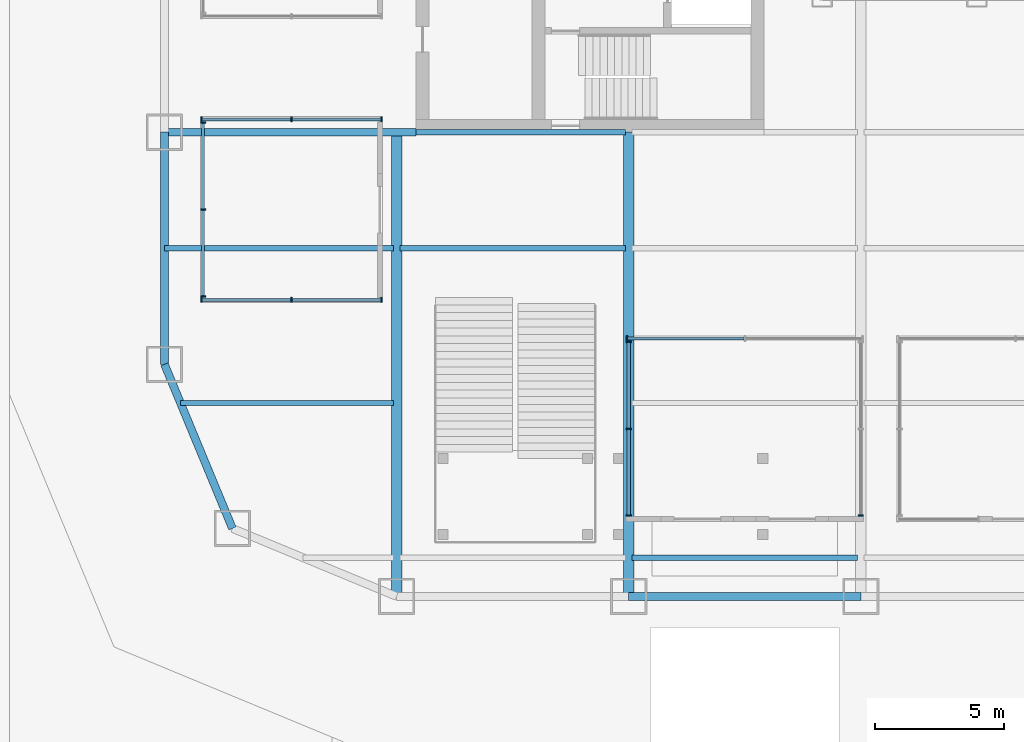
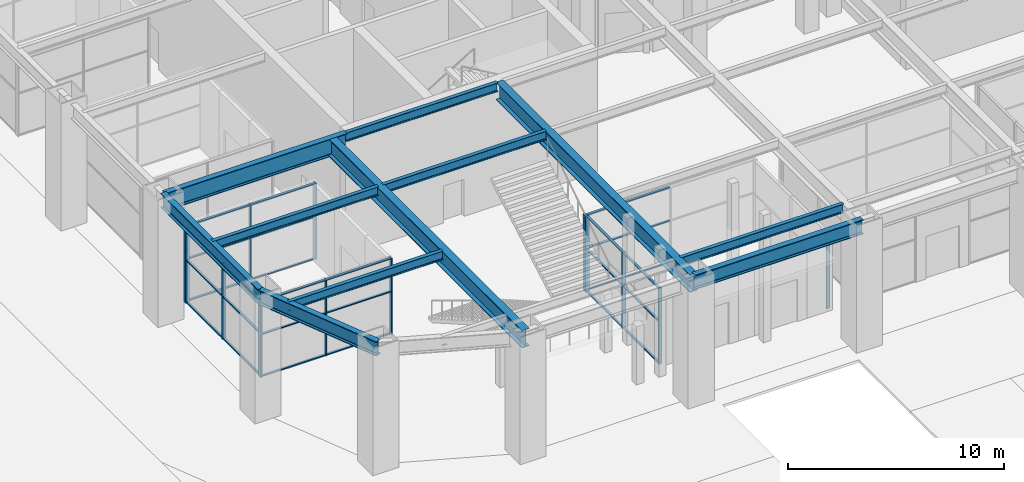
# One storey, part 2 of 20: 41 members, 11 beams, 6 elements without a shape of their own.
"""IFC4 building model written with IfcOpenShell, lengths in metres."""

from ifc_helpers import new_model, si_unit, direction, frame, origin, origin_2d, place, context, subcontext, project, spatial, rectangle, i_section, extrude, material, layer, layer_set, material_profile, profile_set, type_object, element, aggregate, save


model = new_model("IFC4")

# Units and contexts
model_context = context("Model", 3, precision=1e-05, world=origin(), true_north=direction((0.0, 1.0)))
body_context = subcontext(model_context, "Body", "Model", "MODEL_VIEW")
ifc_project = project(units=[si_unit("LENGTHUNIT", "METRE"), si_unit("AREAUNIT", "SQUARE_METRE"), si_unit("VOLUMEUNIT", "CUBIC_METRE"), si_unit("PLANEANGLEUNIT", "RADIAN"), si_unit("MASSUNIT", "GRAM", prefix="KILO")], contexts=[model_context])

# Site, building, storey
site_placement = place(None, origin())
site = spatial("IfcSite", under=ifc_project, at=site_placement, CompositionType="ELEMENT")
building_placement = place(site_placement, origin())
building = spatial("IfcBuilding", under=site, at=building_placement, Name="Siwar Civic Tower", CompositionType="ELEMENT")
storey_placement = place(building_placement, origin())
storey = spatial("IfcBuildingStorey", under=building, at=storey_placement, Name="L00", CompositionType="ELEMENT", Elevation=0.0)

# Curtain wall, member
ifc_material_1 = material(Name="Aluminium and glass", Category="aluminium")
ifc_layer = layer(ifc_material_1, 0.199951171875)
ifc_layer_set = layer_set([ifc_layer], Name="Aluminium and glass")
curtain_wall_type = type_object("IfcCurtainWallType", Name="GND-CWG", PredefinedType="NOTDEFINED", material=ifc_layer_set)
curtain_wall_1_placement = place(storey_placement, origin())
curtain_wall_1 = element("IfcCurtainWall", 1, at=curtain_wall_1_placement, inside=storey, type_object=curtain_wall_type, Name="Glazed screen P01", PredefinedType="NOTDEFINED")
ifc_material_2 = material(Name="Aluminium", Category="aluminium")
ifc_material_profile_1 = material_profile(ifc_material_2, rectangle(XDim=0.199951171875, YDim=0.06005859375, at=origin_2d()), Name="AL 200x60")
ifc_profile_set_1 = profile_set([ifc_material_profile_1], Name="Aluminium")
member_type_1 = type_object("IfcMemberType", Name="GND-CWG-MULLION", PredefinedType="MULLION", material=ifc_profile_set_1)
member_1_placement = place(storey_placement, frame((-4.5, -28.3701171875, 0.0), z_axis=(0.0, 0.0, 1.0), x_axis=(-1.0, 0.0, 0.0)))
member_1 = element("IfcMember", 2, at=member_1_placement, type_object=member_type_1, Name="CW-G mullion 1", PredefinedType="MULLION", context=body_context, shape_type="SweptSolid", body=[
    extrude(rectangle(XDim=0.199951171875, YDim=0.06005859375, at=origin_2d()), origin(), (0.0, 0.0, 1.0), 4.300048828125),
])
aggregate(curtain_wall_1, [member_1])

curtain_wall_2_placement = place(storey_placement, origin())
curtain_wall_2 = element("IfcCurtainWall", 3, at=curtain_wall_2_placement, inside=storey, type_object=curtain_wall_type, Name="Glazed screen P01", PredefinedType="NOTDEFINED")
member_2_placement = place(storey_placement, frame((-13.570068359375, -21.5, 0.0), z_axis=(0.0, 0.0, 1.0), x_axis=(0.0, 1.0, 0.0)))
member_2 = element("IfcMember", 4, at=member_2_placement, type_object=member_type_1, Name="CW-G mullion 1", PredefinedType="MULLION", context=body_context, shape_type="SweptSolid", body=[
    extrude(rectangle(XDim=0.199951171875, YDim=0.06005859375, at=origin_2d()), origin(), (0.0, 0.0, 1.0), 4.300048828125),
])

# Curtain wall, members
curtain_wall_3_placement = place(storey_placement, origin())
curtain_wall_3 = element("IfcCurtainWall", 5, at=curtain_wall_3_placement, inside=storey, type_object=curtain_wall_type, Name="Glazed screen P01", PredefinedType="NOTDEFINED")
member_3_placement = place(storey_placement, frame((-13.5, -28.3701171875, 0.0), z_axis=(0.0, 0.0, 1.0), x_axis=(-1.0, 0.0, 0.0)))
member_3 = element("IfcMember", 6, at=member_3_placement, type_object=member_type_1, Name="CW-G mullion 1", PredefinedType="MULLION", context=body_context, shape_type="SweptSolid", body=[
    extrude(rectangle(XDim=0.199951171875, YDim=0.06005859375, at=origin_2d()), origin(), (0.0, 0.0, 1.0), 4.300048828125),
])
member_4_placement = place(storey_placement, frame((-13.5, -25.0, 0.0), z_axis=(0.0, 0.0, 1.0), x_axis=(-1.0, 0.0, 0.0)))
member_4 = element("IfcMember", 7, at=member_4_placement, type_object=member_type_1, Name="CW-G mullion 2", PredefinedType="MULLION", context=body_context, shape_type="SweptSolid", body=[
    extrude(rectangle(XDim=0.199951171875, YDim=0.06005859375, at=origin_2d()), origin(), (0.0, 0.0, 1.0), 4.300048828125),
])
member_5_placement = place(storey_placement, frame((-13.5, -21.6298828125, 0.0), z_axis=(0.0, 0.0, 1.0), x_axis=(-1.0, 0.0, 0.0)))
member_5 = element("IfcMember", 8, at=member_5_placement, type_object=member_type_1, Name="CW-G mullion 3", PredefinedType="MULLION", context=body_context, shape_type="SweptSolid", body=[
    extrude(rectangle(XDim=0.199951171875, YDim=0.06005859375, at=origin_2d()), origin(), (0.0, 0.0, 1.0), 4.300048828125),
])

curtain_wall_4_placement = place(storey_placement, origin())
curtain_wall_4 = element("IfcCurtainWall", 9, at=curtain_wall_4_placement, inside=storey, type_object=curtain_wall_type, Name="Glazed screen P12", PredefinedType="NOTDEFINED")
member_6_placement = place(storey_placement, frame((-30.070068359375, -20.0, 0.0), z_axis=(0.0, 0.0, 1.0), x_axis=(0.0, 1.0, 0.0)))
member_6 = element("IfcMember", 10, at=member_6_placement, type_object=member_type_1, Name="CW-G mullion 1", PredefinedType="MULLION", context=body_context, shape_type="SweptSolid", body=[
    extrude(rectangle(XDim=0.199951171875, YDim=0.06005859375, at=origin_2d()), origin(), (0.0, 0.0, 1.0), 4.300048828125),
])
member_7_placement = place(storey_placement, frame((-26.574951171875, -20.0, 0.0), z_axis=(0.0, 0.0, 1.0), x_axis=(0.0, 1.0, 0.0)))
member_7 = element("IfcMember", 11, at=member_7_placement, type_object=member_type_1, Name="CW-G mullion 2", PredefinedType="MULLION", context=body_context, shape_type="SweptSolid", body=[
    extrude(rectangle(XDim=0.199951171875, YDim=0.06005859375, at=origin_2d()), origin(), (0.0, 0.0, 1.0), 4.300048828125),
])
member_8_placement = place(storey_placement, frame((-23.080078125, -20.0, 0.0), z_axis=(0.0, 0.0, 1.0), x_axis=(0.0, 1.0, 0.0)))
member_8 = element("IfcMember", 12, at=member_8_placement, type_object=member_type_1, Name="CW-G mullion 3", PredefinedType="MULLION", context=body_context, shape_type="SweptSolid", body=[
    extrude(rectangle(XDim=0.199951171875, YDim=0.06005859375, at=origin_2d()), origin(), (0.0, 0.0, 1.0), 4.300048828125),
])

curtain_wall_5_placement = place(storey_placement, origin())
curtain_wall_5 = element("IfcCurtainWall", 13, at=curtain_wall_5_placement, inside=storey, type_object=curtain_wall_type, Name="Glazed screen P12", PredefinedType="NOTDEFINED")
member_9_placement = place(storey_placement, frame((-30.070068359375, -13.0, 0.0), z_axis=(0.0, 0.0, 1.0), x_axis=(0.0, 1.0, 0.0)))
member_9 = element("IfcMember", 14, at=member_9_placement, type_object=member_type_1, Name="CW-G mullion 1", PredefinedType="MULLION", context=body_context, shape_type="SweptSolid", body=[
    extrude(rectangle(XDim=0.199951171875, YDim=0.06005859375, at=origin_2d()), origin(), (0.0, 0.0, 1.0), 4.300048828125),
])
member_10_placement = place(storey_placement, frame((-26.574951171875, -13.0, 0.0), z_axis=(0.0, 0.0, 1.0), x_axis=(0.0, 1.0, 0.0)))
member_10 = element("IfcMember", 15, at=member_10_placement, type_object=member_type_1, Name="CW-G mullion 2", PredefinedType="MULLION", context=body_context, shape_type="SweptSolid", body=[
    extrude(rectangle(XDim=0.199951171875, YDim=0.06005859375, at=origin_2d()), origin(), (0.0, 0.0, 1.0), 4.300048828125),
])
member_11_placement = place(storey_placement, frame((-23.080078125, -13.0, 0.0), z_axis=(0.0, 0.0, 1.0), x_axis=(0.0, 1.0, 0.0)))
member_11 = element("IfcMember", 16, at=member_11_placement, type_object=member_type_1, Name="CW-G mullion 3", PredefinedType="MULLION", context=body_context, shape_type="SweptSolid", body=[
    extrude(rectangle(XDim=0.199951171875, YDim=0.06005859375, at=origin_2d()), origin(), (0.0, 0.0, 1.0), 4.300048828125),
])

curtain_wall_6_placement = place(storey_placement, origin())
curtain_wall_6 = element("IfcCurtainWall", 17, at=curtain_wall_6_placement, inside=storey, type_object=curtain_wall_type, Name="Glazed screen P12", PredefinedType="NOTDEFINED")
member_12_placement = place(storey_placement, frame((-30.0, -19.8701171875, 0.0), z_axis=(0.0, 0.0, 1.0), x_axis=(-1.0, 0.0, 0.0)))
member_12 = element("IfcMember", 18, at=member_12_placement, type_object=member_type_1, Name="CW-G mullion 1", PredefinedType="MULLION", context=body_context, shape_type="SweptSolid", body=[
    extrude(rectangle(XDim=0.199951171875, YDim=0.06005859375, at=origin_2d()), origin(), (0.0, 0.0, 1.0), 4.300048828125),
])
member_13_placement = place(storey_placement, frame((-30.0, -16.5, 0.0), z_axis=(0.0, 0.0, 1.0), x_axis=(-1.0, 0.0, 0.0)))
member_13 = element("IfcMember", 19, at=member_13_placement, type_object=member_type_1, Name="CW-G mullion 2", PredefinedType="MULLION", context=body_context, shape_type="SweptSolid", body=[
    extrude(rectangle(XDim=0.199951171875, YDim=0.06005859375, at=origin_2d()), origin(), (0.0, 0.0, 1.0), 4.300048828125),
])
member_14_placement = place(storey_placement, frame((-30.0, -13.1298828125, 0.0), z_axis=(0.0, 0.0, 1.0), x_axis=(-1.0, 0.0, 0.0)))
member_14 = element("IfcMember", 20, at=member_14_placement, type_object=member_type_1, Name="CW-G mullion 3", PredefinedType="MULLION", context=body_context, shape_type="SweptSolid", body=[
    extrude(rectangle(XDim=0.199951171875, YDim=0.06005859375, at=origin_2d()), origin(), (0.0, 0.0, 1.0), 4.300048828125),
])

# Member
ifc_material_3 = material(Name="Aluminium", Category="aluminium")
ifc_material_profile_2 = material_profile(ifc_material_3, rectangle(XDim=0.1201171875, YDim=0.06005859375, at=origin_2d()), Name="AL 120x60")
ifc_profile_set_2 = profile_set([ifc_material_profile_2], Name="Aluminium")
member_type_2 = type_object("IfcMemberType", Name="GND-CWG-TRANSOM", PredefinedType="USERDEFINED", material=ifc_profile_set_2)
member_15_placement = place(storey_placement, frame((-13.5400390625, -21.5, 0.030029296875), z_axis=(1.0, 0.0, 0.0), x_axis=(0.0, 1.0, 0.0)))
member_15 = element("IfcMember", 21, at=member_15_placement, type_object=member_type_2, Name="CW-G transom 1.1", ObjectType="TRANSOM", PredefinedType="USERDEFINED", context=body_context, shape_type="SweptSolid", body=[
    extrude(rectangle(XDim=0.1201171875, YDim=0.06005859375, at=origin_2d()), origin(), (0.0, 0.0, 1.0), 4.510009765625),
])

member_16_placement = place(storey_placement, frame((-13.5400390625, -21.5, 2.39990234375), z_axis=(1.0, 0.0, 0.0), x_axis=(0.0, 1.0, 0.0)))
member_16 = element("IfcMember", 22, at=member_16_placement, type_object=member_type_2, Name="CW-G transom 1.2", ObjectType="TRANSOM", PredefinedType="USERDEFINED", context=body_context, shape_type="SweptSolid", body=[
    extrude(rectangle(XDim=0.1201171875, YDim=0.06005859375, at=origin_2d()), origin(), (0.0, 0.0, 1.0), 4.510009765625),
])

member_17_placement = place(storey_placement, frame((-13.5400390625, -21.5, 4.27001953125), z_axis=(1.0, 0.0, 0.0), x_axis=(0.0, 1.0, 0.0)))
member_17 = element("IfcMember", 23, at=member_17_placement, type_object=member_type_2, Name="CW-G transom 1.3", ObjectType="TRANSOM", PredefinedType="USERDEFINED", context=body_context, shape_type="SweptSolid", body=[
    extrude(rectangle(XDim=0.1201171875, YDim=0.06005859375, at=origin_2d()), origin(), (0.0, 0.0, 1.0), 4.510009765625),
])

aggregate(curtain_wall_2, [member_2, member_15, member_16, member_17])

member_18_placement = place(storey_placement, frame((-13.5, -28.340087890625, 0.030029296875), z_axis=(0.0, 1.0, 0.0), x_axis=(-1.0, 0.0, 0.0)))
member_18 = element("IfcMember", 24, at=member_18_placement, type_object=member_type_2, Name="CW-G transom 1.1", ObjectType="TRANSOM", PredefinedType="USERDEFINED", context=body_context, shape_type="SweptSolid", body=[
    extrude(rectangle(XDim=0.1201171875, YDim=0.06005859375, at=origin_2d()), origin(), (0.0, 0.0, 1.0), 3.31005859375),
])

member_19_placement = place(storey_placement, frame((-13.5, -28.340087890625, 2.39990234375), z_axis=(0.0, 1.0, 0.0), x_axis=(-1.0, 0.0, 0.0)))
member_19 = element("IfcMember", 25, at=member_19_placement, type_object=member_type_2, Name="CW-G transom 1.2", ObjectType="TRANSOM", PredefinedType="USERDEFINED", context=body_context, shape_type="SweptSolid", body=[
    extrude(rectangle(XDim=0.1201171875, YDim=0.06005859375, at=origin_2d()), origin(), (0.0, 0.0, 1.0), 3.31005859375),
])

member_20_placement = place(storey_placement, frame((-13.5, -28.340087890625, 4.27001953125), z_axis=(0.0, 1.0, 0.0), x_axis=(-1.0, 0.0, 0.0)))
member_20 = element("IfcMember", 26, at=member_20_placement, type_object=member_type_2, Name="CW-G transom 1.3", ObjectType="TRANSOM", PredefinedType="USERDEFINED", context=body_context, shape_type="SweptSolid", body=[
    extrude(rectangle(XDim=0.1201171875, YDim=0.06005859375, at=origin_2d()), origin(), (0.0, 0.0, 1.0), 3.31005859375),
])

member_21_placement = place(storey_placement, frame((-13.5, -24.969970703125, 0.030029296875), z_axis=(0.0, 1.0, 0.0), x_axis=(-1.0, 0.0, 0.0)))
member_21 = element("IfcMember", 27, at=member_21_placement, type_object=member_type_2, Name="CW-G transom 2.1", ObjectType="TRANSOM", PredefinedType="USERDEFINED", context=body_context, shape_type="SweptSolid", body=[
    extrude(rectangle(XDim=0.1201171875, YDim=0.06005859375, at=origin_2d()), origin(), (0.0, 0.0, 1.0), 3.31005859375),
])

member_22_placement = place(storey_placement, frame((-13.5, -24.969970703125, 2.39990234375), z_axis=(0.0, 1.0, 0.0), x_axis=(-1.0, 0.0, 0.0)))
member_22 = element("IfcMember", 28, at=member_22_placement, type_object=member_type_2, Name="CW-G transom 2.2", ObjectType="TRANSOM", PredefinedType="USERDEFINED", context=body_context, shape_type="SweptSolid", body=[
    extrude(rectangle(XDim=0.1201171875, YDim=0.06005859375, at=origin_2d()), origin(), (0.0, 0.0, 1.0), 3.31005859375),
])

member_23_placement = place(storey_placement, frame((-13.5, -24.969970703125, 4.27001953125), z_axis=(0.0, 1.0, 0.0), x_axis=(-1.0, 0.0, 0.0)))
member_23 = element("IfcMember", 29, at=member_23_placement, type_object=member_type_2, Name="CW-G transom 2.3", ObjectType="TRANSOM", PredefinedType="USERDEFINED", context=body_context, shape_type="SweptSolid", body=[
    extrude(rectangle(XDim=0.1201171875, YDim=0.06005859375, at=origin_2d()), origin(), (0.0, 0.0, 1.0), 3.31005859375),
])

aggregate(curtain_wall_3, [member_3, member_4, member_5, member_18, member_19, member_20, member_21, member_22, member_23])

member_24_placement = place(storey_placement, frame((-30.0400390625, -20.0, 0.030029296875), z_axis=(1.0, 0.0, 0.0), x_axis=(0.0, 1.0, 0.0)))
member_24 = element("IfcMember", 30, at=member_24_placement, type_object=member_type_2, Name="CW-G transom 1.1", ObjectType="TRANSOM", PredefinedType="USERDEFINED", context=body_context, shape_type="SweptSolid", body=[
    extrude(rectangle(XDim=0.1201171875, YDim=0.06005859375, at=origin_2d()), origin(), (0.0, 0.0, 1.0), 3.43505859375),
])

member_25_placement = place(storey_placement, frame((-30.0400390625, -20.0, 2.39990234375), z_axis=(1.0, 0.0, 0.0), x_axis=(0.0, 1.0, 0.0)))
member_25 = element("IfcMember", 31, at=member_25_placement, type_object=member_type_2, Name="CW-G transom 1.2", ObjectType="TRANSOM", PredefinedType="USERDEFINED", context=body_context, shape_type="SweptSolid", body=[
    extrude(rectangle(XDim=0.1201171875, YDim=0.06005859375, at=origin_2d()), origin(), (0.0, 0.0, 1.0), 3.43505859375),
])

member_26_placement = place(storey_placement, frame((-30.0400390625, -20.0, 4.27001953125), z_axis=(1.0, 0.0, 0.0), x_axis=(0.0, 1.0, 0.0)))
member_26 = element("IfcMember", 32, at=member_26_placement, type_object=member_type_2, Name="CW-G transom 1.3", ObjectType="TRANSOM", PredefinedType="USERDEFINED", context=body_context, shape_type="SweptSolid", body=[
    extrude(rectangle(XDim=0.1201171875, YDim=0.06005859375, at=origin_2d()), origin(), (0.0, 0.0, 1.0), 3.43505859375),
])

member_27_placement = place(storey_placement, frame((-26.544921875, -20.0, 0.030029296875), z_axis=(1.0, 0.0, 0.0), x_axis=(0.0, 1.0, 0.0)))
member_27 = element("IfcMember", 33, at=member_27_placement, type_object=member_type_2, Name="CW-G transom 2.1", ObjectType="TRANSOM", PredefinedType="USERDEFINED", context=body_context, shape_type="SweptSolid", body=[
    extrude(rectangle(XDim=0.1201171875, YDim=0.06005859375, at=origin_2d()), origin(), (0.0, 0.0, 1.0), 3.434814453125),
])

member_28_placement = place(storey_placement, frame((-26.544921875, -20.0, 2.39990234375), z_axis=(1.0, 0.0, 0.0), x_axis=(0.0, 1.0, 0.0)))
member_28 = element("IfcMember", 34, at=member_28_placement, type_object=member_type_2, Name="CW-G transom 2.2", ObjectType="TRANSOM", PredefinedType="USERDEFINED", context=body_context, shape_type="SweptSolid", body=[
    extrude(rectangle(XDim=0.1201171875, YDim=0.06005859375, at=origin_2d()), origin(), (0.0, 0.0, 1.0), 3.434814453125),
])

member_29_placement = place(storey_placement, frame((-26.544921875, -20.0, 4.27001953125), z_axis=(1.0, 0.0, 0.0), x_axis=(0.0, 1.0, 0.0)))
member_29 = element("IfcMember", 35, at=member_29_placement, type_object=member_type_2, Name="CW-G transom 2.3", ObjectType="TRANSOM", PredefinedType="USERDEFINED", context=body_context, shape_type="SweptSolid", body=[
    extrude(rectangle(XDim=0.1201171875, YDim=0.06005859375, at=origin_2d()), origin(), (0.0, 0.0, 1.0), 3.434814453125),
])

aggregate(curtain_wall_4, [member_6, member_7, member_8, member_24, member_25, member_26, member_27, member_28, member_29])

member_30_placement = place(storey_placement, frame((-30.0400390625, -13.0, 0.030029296875), z_axis=(1.0, 0.0, 0.0), x_axis=(0.0, 1.0, 0.0)))
member_30 = element("IfcMember", 36, at=member_30_placement, type_object=member_type_2, Name="CW-G transom 1.1", ObjectType="TRANSOM", PredefinedType="USERDEFINED", context=body_context, shape_type="SweptSolid", body=[
    extrude(rectangle(XDim=0.1201171875, YDim=0.06005859375, at=origin_2d()), origin(), (0.0, 0.0, 1.0), 3.43505859375),
])

member_31_placement = place(storey_placement, frame((-30.0400390625, -13.0, 2.39990234375), z_axis=(1.0, 0.0, 0.0), x_axis=(0.0, 1.0, 0.0)))
member_31 = element("IfcMember", 37, at=member_31_placement, type_object=member_type_2, Name="CW-G transom 1.2", ObjectType="TRANSOM", PredefinedType="USERDEFINED", context=body_context, shape_type="SweptSolid", body=[
    extrude(rectangle(XDim=0.1201171875, YDim=0.06005859375, at=origin_2d()), origin(), (0.0, 0.0, 1.0), 3.43505859375),
])

member_32_placement = place(storey_placement, frame((-30.0400390625, -13.0, 4.27001953125), z_axis=(1.0, 0.0, 0.0), x_axis=(0.0, 1.0, 0.0)))
member_32 = element("IfcMember", 38, at=member_32_placement, type_object=member_type_2, Name="CW-G transom 1.3", ObjectType="TRANSOM", PredefinedType="USERDEFINED", context=body_context, shape_type="SweptSolid", body=[
    extrude(rectangle(XDim=0.1201171875, YDim=0.06005859375, at=origin_2d()), origin(), (0.0, 0.0, 1.0), 3.43505859375),
])

member_33_placement = place(storey_placement, frame((-26.544921875, -13.0, 0.030029296875), z_axis=(1.0, 0.0, 0.0), x_axis=(0.0, 1.0, 0.0)))
member_33 = element("IfcMember", 39, at=member_33_placement, type_object=member_type_2, Name="CW-G transom 2.1", ObjectType="TRANSOM", PredefinedType="USERDEFINED", context=body_context, shape_type="SweptSolid", body=[
    extrude(rectangle(XDim=0.1201171875, YDim=0.06005859375, at=origin_2d()), origin(), (0.0, 0.0, 1.0), 3.434814453125),
])

member_34_placement = place(storey_placement, frame((-26.544921875, -13.0, 2.39990234375), z_axis=(1.0, 0.0, 0.0), x_axis=(0.0, 1.0, 0.0)))
member_34 = element("IfcMember", 40, at=member_34_placement, type_object=member_type_2, Name="CW-G transom 2.2", ObjectType="TRANSOM", PredefinedType="USERDEFINED", context=body_context, shape_type="SweptSolid", body=[
    extrude(rectangle(XDim=0.1201171875, YDim=0.06005859375, at=origin_2d()), origin(), (0.0, 0.0, 1.0), 3.434814453125),
])

member_35_placement = place(storey_placement, frame((-26.544921875, -13.0, 4.27001953125), z_axis=(1.0, 0.0, 0.0), x_axis=(0.0, 1.0, 0.0)))
member_35 = element("IfcMember", 41, at=member_35_placement, type_object=member_type_2, Name="CW-G transom 2.3", ObjectType="TRANSOM", PredefinedType="USERDEFINED", context=body_context, shape_type="SweptSolid", body=[
    extrude(rectangle(XDim=0.1201171875, YDim=0.06005859375, at=origin_2d()), origin(), (0.0, 0.0, 1.0), 3.434814453125),
])

aggregate(curtain_wall_5, [member_9, member_10, member_11, member_30, member_31, member_32, member_33, member_34, member_35])

member_36_placement = place(storey_placement, frame((-30.0, -19.840087890625, 0.030029296875), z_axis=(0.0, 1.0, 0.0), x_axis=(-1.0, 0.0, 0.0)))
member_36 = element("IfcMember", 42, at=member_36_placement, type_object=member_type_2, Name="CW-G transom 1.1", ObjectType="TRANSOM", PredefinedType="USERDEFINED", context=body_context, shape_type="SweptSolid", body=[
    extrude(rectangle(XDim=0.1201171875, YDim=0.06005859375, at=origin_2d()), origin(), (0.0, 0.0, 1.0), 3.31005859375),
])

member_37_placement = place(storey_placement, frame((-30.0, -19.840087890625, 2.39990234375), z_axis=(0.0, 1.0, 0.0), x_axis=(-1.0, 0.0, 0.0)))
member_37 = element("IfcMember", 43, at=member_37_placement, type_object=member_type_2, Name="CW-G transom 1.2", ObjectType="TRANSOM", PredefinedType="USERDEFINED", context=body_context, shape_type="SweptSolid", body=[
    extrude(rectangle(XDim=0.1201171875, YDim=0.06005859375, at=origin_2d()), origin(), (0.0, 0.0, 1.0), 3.31005859375),
])

member_38_placement = place(storey_placement, frame((-30.0, -19.840087890625, 4.27001953125), z_axis=(0.0, 1.0, 0.0), x_axis=(-1.0, 0.0, 0.0)))
member_38 = element("IfcMember", 44, at=member_38_placement, type_object=member_type_2, Name="CW-G transom 1.3", ObjectType="TRANSOM", PredefinedType="USERDEFINED", context=body_context, shape_type="SweptSolid", body=[
    extrude(rectangle(XDim=0.1201171875, YDim=0.06005859375, at=origin_2d()), origin(), (0.0, 0.0, 1.0), 3.31005859375),
])

member_39_placement = place(storey_placement, frame((-30.0, -16.469970703125, 0.030029296875), z_axis=(0.0, 1.0, 0.0), x_axis=(-1.0, 0.0, 0.0)))
member_39 = element("IfcMember", 45, at=member_39_placement, type_object=member_type_2, Name="CW-G transom 2.1", ObjectType="TRANSOM", PredefinedType="USERDEFINED", context=body_context, shape_type="SweptSolid", body=[
    extrude(rectangle(XDim=0.1201171875, YDim=0.06005859375, at=origin_2d()), origin(), (0.0, 0.0, 1.0), 3.31005859375),
])

member_40_placement = place(storey_placement, frame((-30.0, -16.469970703125, 2.39990234375), z_axis=(0.0, 1.0, 0.0), x_axis=(-1.0, 0.0, 0.0)))
member_40 = element("IfcMember", 46, at=member_40_placement, type_object=member_type_2, Name="CW-G transom 2.2", ObjectType="TRANSOM", PredefinedType="USERDEFINED", context=body_context, shape_type="SweptSolid", body=[
    extrude(rectangle(XDim=0.1201171875, YDim=0.06005859375, at=origin_2d()), origin(), (0.0, 0.0, 1.0), 3.31005859375),
])

member_41_placement = place(storey_placement, frame((-30.0, -16.469970703125, 4.27001953125), z_axis=(0.0, 1.0, 0.0), x_axis=(-1.0, 0.0, 0.0)))
member_41 = element("IfcMember", 47, at=member_41_placement, type_object=member_type_2, Name="CW-G transom 2.3", ObjectType="TRANSOM", PredefinedType="USERDEFINED", context=body_context, shape_type="SweptSolid", body=[
    extrude(rectangle(XDim=0.1201171875, YDim=0.06005859375, at=origin_2d()), origin(), (0.0, 0.0, 1.0), 3.31005859375),
])

aggregate(curtain_wall_6, [member_12, member_13, member_14, member_36, member_37, member_38, member_39, member_40, member_41])

# Beams
ifc_material_4 = material(Name="Steel S355", Category="steel")
ifc_material_profile_3 = material_profile(ifc_material_4, i_section(OverallWidth=0.199951171875, OverallDepth=0.5, WebThickness=0.01025390625, FlangeThickness=0.01611328125, FilletRadius=0.02099609375, at=origin_2d()), Name="IPE500")
ifc_profile_set_3 = profile_set([ifc_material_profile_3], Name="Steel S355")
beam_type_1 = type_object("IfcBeamType", Name="STR-FB-IPE500", PredefinedType="JOIST", material=ifc_profile_set_3)
beam_1_placement = place(storey_placement, frame((-13.3701171875, -30.0, 6.75), z_axis=(1.0, 0.0, 0.0), x_axis=(0.0, 1.0, 0.0)))
element("IfcBeam", 48, at=beam_1_placement, inside=storey, type_object=beam_type_1, Name="L00/bm/F003", PredefinedType="JOIST", context=body_context, shape_type="SweptSolid", body=[
    extrude(i_section(OverallWidth=0.199951171875, OverallDepth=0.5, WebThickness=0.01025390625, FlangeThickness=0.01611328125, FilletRadius=0.02099609375, at=origin_2d()), origin(), (0.0, 0.0, 1.0), 8.740234375),
])
beam_2_placement = place(storey_placement, frame((-30.878662109375, -24.0, 6.75), z_axis=(1.0, 0.0, 0.0), x_axis=(0.0, 1.0, 0.0)))
element("IfcBeam", 49, at=beam_2_placement, inside=storey, type_object=beam_type_1, Name="L00/bm/F008", PredefinedType="JOIST", context=body_context, shape_type="SweptSolid", body=[
    extrude(i_section(OverallWidth=0.199951171875, OverallDepth=0.5, WebThickness=0.01025390625, FlangeThickness=0.01611328125, FilletRadius=0.02099609375, at=origin_2d()), origin(), (0.0, 0.0, 1.0), 8.248779296875),
])
beam_3_placement = place(storey_placement, frame((-31.5, -18.0, 6.75), z_axis=(1.0, 0.0, 0.0), x_axis=(0.0, 1.0, 0.0)))
element("IfcBeam", 50, at=beam_3_placement, inside=storey, type_object=beam_type_1, Name="L00/bm/F013", PredefinedType="JOIST", context=body_context, shape_type="SweptSolid", body=[
    extrude(i_section(OverallWidth=0.199951171875, OverallDepth=0.5, WebThickness=0.01025390625, FlangeThickness=0.01611328125, FilletRadius=0.02099609375, at=origin_2d()), origin(), (0.0, 0.0, 1.0), 8.8701171875),
])
beam_4_placement = place(storey_placement, frame((-22.3701171875, -18.0, 6.75), z_axis=(1.0, 0.0, 0.0), x_axis=(0.0, 1.0, 0.0)))
element("IfcBeam", 51, at=beam_4_placement, inside=storey, type_object=beam_type_1, Name="L00/bm/F014", PredefinedType="JOIST", context=body_context, shape_type="SweptSolid", body=[
    extrude(i_section(OverallWidth=0.199951171875, OverallDepth=0.5, WebThickness=0.01025390625, FlangeThickness=0.01611328125, FilletRadius=0.02099609375, at=origin_2d()), origin(), (0.0, 0.0, 1.0), 8.740234375),
])
beam_5_placement = place(storey_placement, frame((-21.75, -13.5, 6.75), z_axis=(1.0, 0.0, 0.0), x_axis=(0.0, 1.0, 0.0)))
element("IfcBeam", 52, at=beam_5_placement, inside=storey, type_object=beam_type_1, Name="L00/bm/F020", PredefinedType="JOIST", context=body_context, shape_type="SweptSolid", body=[
    extrude(i_section(OverallWidth=0.199951171875, OverallDepth=0.5, WebThickness=0.01025390625, FlangeThickness=0.01611328125, FilletRadius=0.02099609375, at=origin_2d()), origin(), (0.0, 0.0, 1.0), 8.1201171875),
])
ifc_material_5 = material(Name="Steel S355", Category="steel")
ifc_material_profile_4 = material_profile(ifc_material_5, i_section(OverallWidth=0.300048828125, OverallDepth=1.0, WebThickness=0.01904296875, FlangeThickness=0.035888671875, FilletRadius=0.030029296875, at=origin_2d()), Name="HEB1000")
ifc_profile_set_4 = profile_set([ifc_material_profile_4], Name="Steel S355")
beam_type_2 = type_object("IfcBeamType", Name="STR-PG-HEB1000", PredefinedType="BEAM", material=ifc_profile_set_4)
beam_6_placement = place(storey_placement, frame((-31.5, -13.5, 6.5), z_axis=(1.0, 0.0, 0.0), x_axis=(0.0, 1.0, 0.0)))
element("IfcBeam", 53, at=beam_6_placement, inside=storey, type_object=beam_type_2, Name="L00/bm/F019", PredefinedType="BEAM", context=body_context, shape_type="SweptSolid", body=[
    extrude(i_section(OverallWidth=0.300048828125, OverallDepth=1.0, WebThickness=0.01904296875, FlangeThickness=0.035888671875, FilletRadius=0.030029296875, at=origin_2d()), origin(), (0.0, 0.0, 1.0), 9.75),
])
ifc_material_6 = material(Name="Steel S355", Category="steel")
ifc_material_profile_5 = material_profile(ifc_material_6, i_section(OverallWidth=0.39990234375, OverallDepth=1.0, WebThickness=0.01611328125, FlangeThickness=0.0400390625, at=origin_2d()), Name="PG1000x400x16x40")
ifc_profile_set_5 = profile_set([ifc_material_profile_5], Name="Steel S355")
beam_type_3 = type_object("IfcBeamType", Name="STR-PG-PG1000x400x16x40", PredefinedType="BEAM", material=ifc_profile_set_5)
for number, where, z_axis, x_axis, name in (
    (54, (-22.5, -31.5, 6.5), (0.0, 1.0, 0.0), (-1.0, 0.0, 0.0), "L00/bm/G01"),
    (55, (-13.5, -31.5, 6.5), (0.0, 1.0, 0.0), (-1.0, 0.0, 0.0), "L00/bm/G03"),
):
    element("IfcBeam", number, at=place(storey_placement, frame(where, z_axis=z_axis, x_axis=x_axis)), inside=storey, type_object=beam_type_3, Name=name, PredefinedType="BEAM", context=body_context, shape_type="SweptSolid", body=[
        extrude(i_section(OverallWidth=0.39990234375, OverallDepth=1.0, WebThickness=0.01611328125, FlangeThickness=0.0400390625, at=origin_2d()), origin(), (0.0, 0.0, 1.0), 18.0),
    ])
ifc_material_7 = material(Name="Steel S355", Category="steel")
ifc_material_profile_6 = material_profile(ifc_material_7, i_section(OverallWidth=0.302978515625, OverallDepth=0.81396484375, WebThickness=0.02099609375, FlangeThickness=0.0400390625, FilletRadius=0.030029296875, at=origin_2d()), Name="HEM800")
ifc_profile_set_6 = profile_set([ifc_material_profile_6], Name="Steel S355")
beam_type_4 = type_object("IfcBeamType", Name="STR-SB-HEM800", PredefinedType="BEAM", material=ifc_profile_set_6)
for number, where, z_axis, x_axis, name in (
    (56, (-13.5, -31.5, 6.593017578125), (1.0, 0.0, 0.0), (0.0, 1.0, 0.0), "L00/bm/SS-1"),
    (57, (-31.5, -13.5, 6.593017578125), (0.0, -1.0, 0.0), (1.0, 0.0, 0.0), "L00/bm/SW-4"),
):
    element("IfcBeam", number, at=place(storey_placement, frame(where, z_axis=z_axis, x_axis=x_axis)), inside=storey, type_object=beam_type_4, Name=name, PredefinedType="BEAM", context=body_context, shape_type="SweptSolid", body=[
        extrude(i_section(OverallWidth=0.302978515625, OverallDepth=0.81396484375, WebThickness=0.02099609375, FlangeThickness=0.0400390625, FilletRadius=0.030029296875, at=origin_2d()), origin(), (0.0, 0.0, 1.0), 9.0),
    ])
beam_7_placement = place(storey_placement, frame((-31.5, -22.5, 6.593017578125), z_axis=(0.382674207535, -0.923883353507, 0.0), x_axis=(0.923883353507, 0.382674207535, 0.0)))
element("IfcBeam", 58, at=beam_7_placement, inside=storey, type_object=beam_type_4, Name="L00/bm/SSW1-0", PredefinedType="BEAM", context=body_context, shape_type="SweptSolid", body=[
    extrude(i_section(OverallWidth=0.302978515625, OverallDepth=0.81396484375, WebThickness=0.02099609375, FlangeThickness=0.0400390625, FilletRadius=0.030029296875, at=origin_2d()), origin(), (0.0, 0.0, 1.0), 6.888427734375),
])

save(model, "model.ifc")
